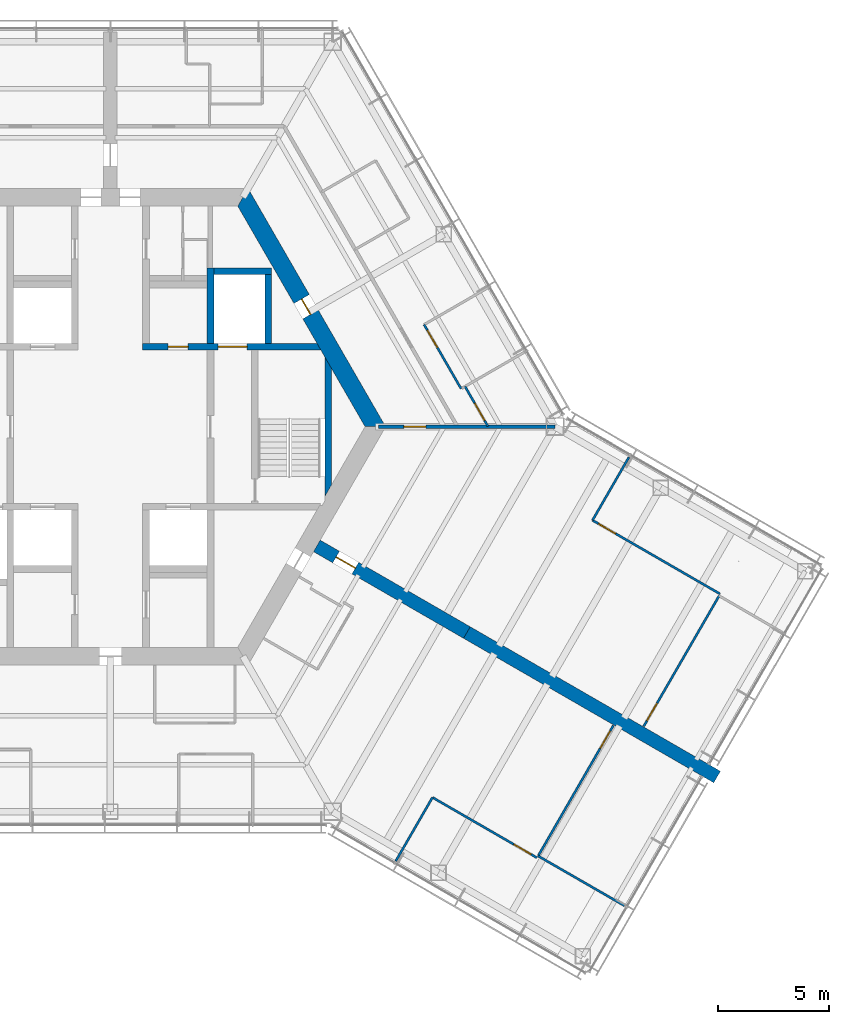
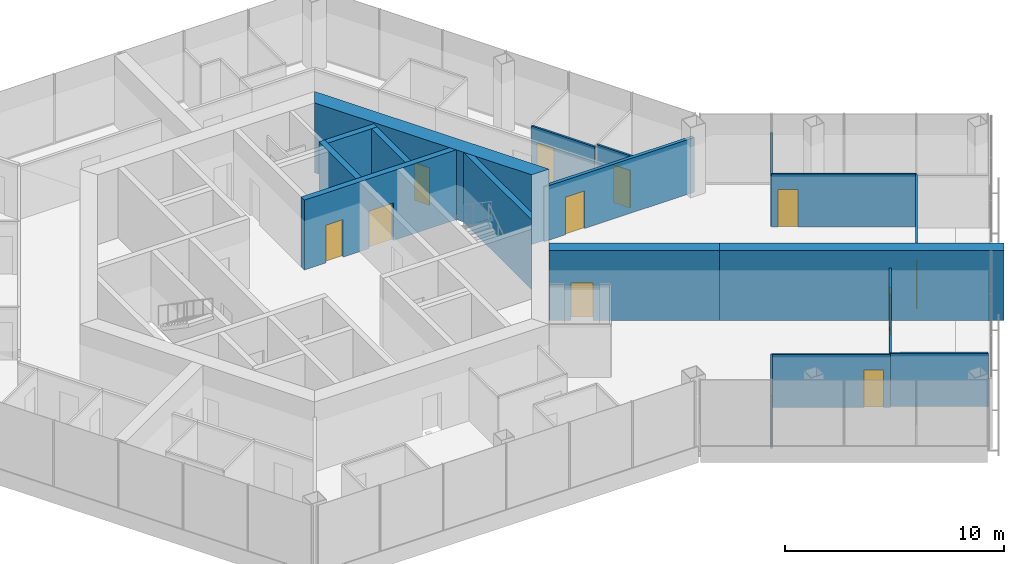
# One storey, part 12 of 17: 18 walls, 11 doors, 11 openings.
"""IFC4 building model written with IfcOpenShell, lengths in metres."""

from ifc_helpers import new_model, si_unit, direction, frame, frame_2d, origin, place, context, subcontext, project, spatial, polyline, rectangle, outline, extrude, material, layer, layer_set, type_object, element, fill, save


model = new_model("IFC4")

# Units and contexts
model_context = context("Model", 3, precision=1e-05, world=origin(), true_north=direction((0.0, 1.0)))
body_context = subcontext(model_context, "Body", "Model", "MODEL_VIEW")
ifc_project = project(units=[si_unit("LENGTHUNIT", "METRE"), si_unit("AREAUNIT", "SQUARE_METRE"), si_unit("VOLUMEUNIT", "CUBIC_METRE"), si_unit("PLANEANGLEUNIT", "RADIAN"), si_unit("MASSUNIT", "GRAM", prefix="KILO")], contexts=[model_context])

# Site, building, storey
site_placement = place(None, origin())
site = spatial("IfcSite", under=ifc_project, at=site_placement, CompositionType="ELEMENT")
building_placement = place(site_placement, origin())
building = spatial("IfcBuilding", under=site, at=building_placement, Name="Kasaneha Research Tower", CompositionType="ELEMENT")
storey_placement = place(building_placement, frame((0.0, 0.0, 228.39990234375)))
storey = spatial("IfcBuildingStorey", under=building, at=storey_placement, Name="L57", CompositionType="ELEMENT", Elevation=228.39990234375)

# Wall, openings, doors
ifc_material_1 = material(Name="Concrete Fc60", Category="concrete")
ifc_layer_1 = layer(ifc_material_1, 0.300048828125)
ifc_layer_set_1 = layer_set([ifc_layer_1], Name="Core internal wall 300 Fc60")
wall_type_1 = type_object("IfcWallType", Name="Core internal wall 300 Fc60", PredefinedType="SHEAR", material=ifc_layer_set_1)
wall_1_placement = place(storey_placement, frame((1.449951171875, 3.60009765625, 0.0), z_axis=(0.0, 0.0, 1.0), x_axis=(1.0, 0.0, 0.0)))
wall_1 = element("IfcWall", 1, at=wall_1_placement, inside=storey, type_object=wall_type_1, Name="Core wall W1E L57", PredefinedType="SHEAR", context=body_context, shape_type="SweptSolid", body=[
    extrude(outline(polyline([(0.0, -0.14990234375), (1.14990234375, -0.14990234375), (2.0498046875, -0.14990234375), (3.39990234375, -0.14990234375), (4.699951171875, -0.14990234375), (8.0185546875, -0.14990234375), (7.84521484375, 0.14990234375), (4.699951171875, 0.14990234375), (3.39990234375, 0.14990234375), (2.0498046875, 0.14990234375), (1.14990234375, 0.14990234375), (0.0, 0.14990234375), (0.0, -0.14990234375)])), origin(), (0.0, 0.0, 1.0), 3.900146484375),
])
opening_1_placement = place(wall_1_placement, frame((1.14990234375, 0.0, 0.0)))
opening_1 = element("IfcOpeningElement", 2, at=opening_1_placement, cuts=wall_1, Name="Opening L57-D17", PredefinedType="OPENING", context=body_context, shape_type="SweptSolid", body=[
    extrude(rectangle(XDim=0.89990234375, YDim=2.10009765625, at=frame_2d((0.449951171875, 1.050048828125))), frame((0.0, 0.16015625, 0.0), z_axis=(0.0, -1.0, 0.0), x_axis=(1.0, 0.0, 0.0)), (0.0, 0.0, 1.0), 0.320068359375),
])
opening_2_placement = place(wall_1_placement, frame((3.39990234375, 0.0, 0.0)))
opening_2 = element("IfcOpeningElement", 3, at=opening_2_placement, cuts=wall_1, Name="Opening LD-FL1-L57", PredefinedType="OPENING", context=body_context, shape_type="SweptSolid", body=[
    extrude(rectangle(XDim=1.300048828125, YDim=2.10009765625, at=frame_2d((0.64990234375, 1.050048828125))), frame((0.0, 0.16015625, 0.0), z_axis=(0.0, -1.0, 0.0), x_axis=(1.0, 0.0, 0.0)), (0.0, 0.0, 1.0), 0.320068359375),
])
ifc_material_2 = material(Name="Steel", Category="steel")
door_type_1 = type_object("IfcDoorType", Name="Lift landing door 1300x2100", OperationType="DOUBLE_DOOR_SLIDING", PredefinedType="DOOR", material=ifc_material_2)
door_1_placement = place(opening_2_placement, origin())
door_1 = element("IfcDoor", 4, at=door_1_placement, inside=storey, type_object=door_type_1, Name="Landing door FL1 LD-FL1-L57", OperationType="DOUBLE_DOOR_SLIDING", OverallHeight=2.10009765625, OverallWidth=1.300048828125, PredefinedType="DOOR", context=body_context, shape_type="SweptSolid", body=[
    extrude(rectangle(XDim=1.300048828125, YDim=2.10009765625, at=frame_2d((0.64990234375, 1.050048828125))), frame((0.0, 0.02490234375, 0.0), z_axis=(0.0, -1.0, 0.0), x_axis=(1.0, 0.0, 0.0)), (0.0, 0.0, 1.0), 0.050048828125),
])
fill(opening_2, door_1)
ifc_material_3 = material(Name="Steel", Category="steel")
door_type_2 = type_object("IfcDoorType", Name="Shaft room door FD60 900x2100", OperationType="NOTDEFINED", PredefinedType="DOOR", material=ifc_material_3)
door_2_placement = place(opening_1_placement, origin())
door_2 = element("IfcDoor", 5, at=door_2_placement, inside=storey, type_object=door_type_2, Name="Housekeeping store door L57-D17", OperationType="SINGLE_SWING_LEFT", OverallHeight=2.10009765625, OverallWidth=0.89990234375, PredefinedType="DOOR", context=body_context, shape_type="SweptSolid", body=[
    extrude(rectangle(XDim=0.89990234375, YDim=2.10009765625, at=frame_2d((0.449951171875, 1.050048828125))), frame((0.0, 0.02490234375, 0.0), z_axis=(0.0, -1.0, 0.0), x_axis=(1.0, 0.0, 0.0)), (0.0, 0.0, 1.0), 0.050048828125),
])
fill(opening_1, door_2)

# Walls
wall_2_placement = place(storey_placement, frame((4.5, 3.75, 0.0), z_axis=(0.0, 0.0, 1.0), x_axis=(0.0, 1.0, 0.0)))
element("IfcWall", 6, at=wall_2_placement, inside=storey, type_object=wall_type_1, Name="Core wall FNE L57", PredefinedType="SHEAR", context=body_context, shape_type="SweptSolid", body=[
    extrude(rectangle(XDim=3.39990234375, YDim=0.300048828125, at=frame_2d((1.699951171875, 0.0))), origin(), (0.0, 0.0, 1.0), 3.900146484375),
])
wall_3_placement = place(storey_placement, frame((4.64990234375, 7.0, 0.0), z_axis=(0.0, 0.0, 1.0), x_axis=(1.0, 0.0, 0.0)))
element("IfcWall", 7, at=wall_3_placement, inside=storey, type_object=wall_type_1, Name="Core wall F1N L57", PredefinedType="SHEAR", context=body_context, shape_type="SweptSolid", body=[
    extrude(rectangle(XDim=2.60009765625, YDim=0.300048828125, at=frame_2d((1.300048828125, 0.0))), origin(), (0.0, 0.0, 1.0), 3.900146484375),
])
wall_4_placement = place(storey_placement, frame((7.10009765625, 3.75, 0.0), z_axis=(0.0, 0.0, 1.0), x_axis=(0.0, 1.0, 0.0)))
element("IfcWall", 8, at=wall_4_placement, inside=storey, type_object=wall_type_1, Name="Core wall F1E L57", PredefinedType="SHEAR", context=body_context, shape_type="SweptSolid", body=[
    extrude(rectangle(XDim=3.10009765625, YDim=0.300048828125, at=frame_2d((1.550048828125, 0.0))), origin(), (0.0, 0.0, 1.0), 3.900146484375),
])
wall_5_placement = place(storey_placement, frame((9.807861328125, -2.8623046875, 0.0), z_axis=(0.0, 0.0, 1.0), x_axis=(0.0, 1.0, 0.0)))
element("IfcWall", 9, at=wall_5_placement, inside=storey, type_object=wall_type_1, Name="Core wall STE L57", PredefinedType="SHEAR", context=body_context, shape_type="SweptSolid", body=[
    extrude(outline(polyline([(0.259765625, -0.14990234375), (5.46484375, -0.14990234375), (5.984375, 0.14990234375), (-0.259765625, 0.14990234375), (0.259765625, -0.14990234375)])), origin(), (0.0, 0.0, 1.0), 3.900146484375),
])

# Wall, opening, door
ifc_material_4 = material(Name="Concrete Fc60", Category="concrete")
ifc_layer_2 = layer(ifc_material_4, 0.800048828125)
ifc_layer_set_2 = layer_set([ifc_layer_2], Name="Core wall 800 Fc60")
wall_type_2 = type_object("IfcWallType", Name="Core wall 800 Fc60", PredefinedType="SHEAR", material=ifc_layer_set_2)
wall_6_placement = place(storey_placement, frame((11.92236328125, 0.0, 0.0), z_axis=(0.0, 0.0, 1.0), x_axis=(-0.500004296715, 0.866022923061, 0.0)))
wall_6 = element("IfcWall", 10, at=wall_6_placement, inside=storey, type_object=wall_type_2, Name="Core wall 030 L57", PredefinedType="SHEAR", context=body_context, shape_type="SweptSolid", body=[
    extrude(outline(polyline([(-0.23095703125, -0.39990234375), (5.83544921875, -0.39990234375), (6.635498046875, -0.39990234375), (12.1533203125, -0.39990234375), (11.69140625, 0.39990234375), (6.635498046875, 0.39990234375), (5.83544921875, 0.39990234375), (0.23095703125, 0.39990234375), (-0.23095703125, -0.39990234375)])), origin(), (0.0, 0.0, 1.0), 3.900146484375),
])
opening_3_placement = place(wall_6_placement, frame((5.83544921875, 0.0, 0.0)))
opening_3 = element("IfcOpeningElement", 11, at=opening_3_placement, cuts=wall_6, Name="Opening L57-D04", PredefinedType="OPENING", context=body_context, shape_type="SweptSolid", body=[
    extrude(rectangle(XDim=0.800048828125, YDim=2.10009765625, at=frame_2d((0.39990234375, 1.050048828125))), frame((0.0, 0.41015625, 0.0), z_axis=(0.0, -1.0, 0.0), x_axis=(1.0, 0.0, 0.0)), (0.0, 0.0, 1.0), 0.820068359375),
])
ifc_material_5 = material(Name="Steel", Category="steel")
door_type_3 = type_object("IfcDoorType", Name="Riser access door FD60 800x2100", OperationType="NOTDEFINED", PredefinedType="DOOR", material=ifc_material_5)
door_3_placement = place(opening_3_placement, origin())
door_3 = element("IfcDoor", 12, at=door_3_placement, inside=storey, type_object=door_type_3, Name="Pipe riser door L57-D04", OperationType="SINGLE_SWING_RIGHT", OverallHeight=2.10009765625, OverallWidth=0.800048828125, PredefinedType="DOOR", context=body_context, shape_type="SweptSolid", body=[
    extrude(rectangle(XDim=0.800048828125, YDim=2.10009765625, at=frame_2d((0.39990234375, 1.050048828125))), frame((0.0, 0.02490234375, 0.0), z_axis=(0.0, -1.0, 0.0), x_axis=(1.0, 0.0, 0.0)), (0.0, 0.0, 1.0), 0.050048828125),
])
fill(opening_3, door_3)

ifc_material_6 = material(Name="Gypsum board on steel studs, one layer each side", Category="steel")
ifc_layer_3 = layer(ifc_material_6, 0.10009765625)
ifc_layer_set_3 = layer_set([ifc_layer_3], Name="Office partition 100")
wall_type_3 = type_object("IfcWallType", Name="Office partition 100", PredefinedType="PARTITIONING", material=ifc_layer_set_3)
wall_7_placement = place(storey_placement, frame((15.779296875, 1.71044921875, 0.0), z_axis=(0.0, 0.0, 1.0), x_axis=(-0.500001606164, 0.866024476463, 0.0)))
wall_7 = element("IfcWall", 13, at=wall_7_placement, inside=storey, type_object=wall_type_3, Name="Office partition FAE15 L57", PredefinedType="PARTITIONING", context=body_context, shape_type="SweptSolid", body=[
    extrude(rectangle(XDim=3.3310546875, YDim=0.10009765625, at=frame_2d((1.66552734375, 0.0))), origin(), (0.0, 0.0, 1.0), 2.9501953125),
])
opening_4_placement = place(wall_7_placement, frame((2.131103515625, 0.0, 0.0)))
opening_4 = element("IfcOpeningElement", 14, at=opening_4_placement, cuts=wall_7, Name="Opening L57-D29", PredefinedType="OPENING", context=body_context, shape_type="SweptSolid", body=[
    extrude(rectangle(XDim=0.89990234375, YDim=2.10009765625, at=frame_2d((0.449951171875, 1.050048828125))), frame((0.0, 0.06005859375, 0.0), z_axis=(0.0, -1.0, 0.0), x_axis=(1.0, 0.0, 0.0)), (0.0, 0.0, 1.0), 0.1201171875),
])
ifc_material_7 = material(Name="Timber veneer", Category="wood")
door_type_4 = type_object("IfcDoorType", Name="Office door 900x2100", OperationType="SINGLE_SWING_LEFT", PredefinedType="DOOR", material=ifc_material_7)
door_4_placement = place(opening_4_placement, origin())
door_4 = element("IfcDoor", 15, at=door_4_placement, inside=storey, type_object=door_type_4, Name="Manager's office door L57-D29", OperationType="SINGLE_SWING_RIGHT", OverallHeight=2.10009765625, OverallWidth=0.89990234375, PredefinedType="DOOR", context=body_context, shape_type="SweptSolid", body=[
    extrude(rectangle(XDim=0.89990234375, YDim=2.10009765625, at=frame_2d((0.449951171875, 1.050048828125))), frame((0.0, 0.02490234375, 0.0), z_axis=(0.0, -1.0, 0.0), x_axis=(1.0, 0.0, 0.0)), (0.0, 0.0, 1.0), 0.050048828125),
])
fill(opening_4, door_4)

wall_8_placement = place(storey_placement, frame((16.986083984375, 0.02001953125, 0.0), z_axis=(0.0, 0.0, 1.0), x_axis=(-0.498096123952, 0.867121820337, 0.0)))
wall_8 = element("IfcWall", 16, at=wall_8_placement, inside=storey, type_object=wall_type_3, Name="Office partition FAE18 L57", PredefinedType="PARTITIONING", context=body_context, shape_type="SweptSolid", body=[
    extrude(rectangle(XDim=2.0673828125, YDim=0.10009765625, at=frame_2d((1.03369140625, 0.0))), origin(), (0.0, 0.0, 1.0), 2.9501953125),
])
opening_5_placement = place(wall_8_placement, frame((0.300048828125, 0.0, 0.0)))
opening_5 = element("IfcOpeningElement", 17, at=opening_5_placement, cuts=wall_8, Name="Opening L57-D31", PredefinedType="OPENING", context=body_context, shape_type="SweptSolid", body=[
    extrude(rectangle(XDim=0.89990234375, YDim=2.10009765625, at=frame_2d((0.449951171875, 1.050048828125))), frame((0.0, 0.06005859375, 0.0), z_axis=(0.0, -1.0, 0.0), x_axis=(1.0, 0.0, 0.0)), (0.0, 0.0, 1.0), 0.1201171875),
])
door_5_placement = place(opening_5_placement, origin())
door_5 = element("IfcDoor", 18, at=door_5_placement, inside=storey, type_object=door_type_4, Name="Workroom door L57-D31", OperationType="SINGLE_SWING_LEFT", OverallHeight=2.10009765625, OverallWidth=0.89990234375, PredefinedType="DOOR", context=body_context, shape_type="SweptSolid", body=[
    extrude(rectangle(XDim=0.89990234375, YDim=2.10009765625, at=frame_2d((0.449951171875, 1.050048828125))), frame((0.0, 0.02490234375, 0.0), z_axis=(0.0, -1.0, 0.0), x_axis=(1.0, 0.0, 0.0)), (0.0, 0.0, 1.0), 0.050048828125),
])
fill(opening_5, door_5)

# Wall
wall_9_placement = place(storey_placement, frame((21.692138671875, -4.210205078125, 0.0), z_axis=(0.0, 0.0, 1.0), x_axis=(0.50002956483, 0.866008333849, 0.0)))
element("IfcWall", 19, at=wall_9_placement, inside=storey, type_object=wall_type_3, Name="Office partition FCE02 L57", PredefinedType="PARTITIONING", context=body_context, shape_type="SweptSolid", body=[
    extrude(rectangle(XDim=3.280029296875, YDim=0.10009765625, at=frame_2d((1.64013671875, 0.0))), origin(), (0.0, 0.0, 1.0), 2.9501953125),
])

# Wall, opening, door
wall_10_placement = place(storey_placement, frame((27.425048828125, -7.52001953125, 0.0), z_axis=(0.0, 0.0, 1.0), x_axis=(-0.866030817826, 0.499990622488, 0.0)))
wall_10 = element("IfcWall", 20, at=wall_10_placement, inside=storey, type_object=wall_type_3, Name="Office partition FCE03 L57", PredefinedType="PARTITIONING", context=body_context, shape_type="SweptSolid", body=[
    extrude(rectangle(XDim=6.619873046875, YDim=0.10009765625, at=frame_2d((3.31005859375, 0.0))), origin(), (0.0, 0.0, 1.0), 2.9501953125),
])
opening_6_placement = place(wall_10_placement, frame((5.419677734375, 0.0, 0.0)))
opening_6 = element("IfcOpeningElement", 21, at=opening_6_placement, cuts=wall_10, Name="Opening L57-D41", PredefinedType="OPENING", context=body_context, shape_type="SweptSolid", body=[
    extrude(rectangle(XDim=0.89990234375, YDim=2.10009765625, at=frame_2d((0.449951171875, 1.050048828125))), frame((0.0, 0.06005859375, 0.0), z_axis=(0.0, -1.0, 0.0), x_axis=(1.0, 0.0, 0.0)), (0.0, 0.0, 1.0), 0.1201171875),
])
door_6_placement = place(opening_6_placement, origin())
door_6 = element("IfcDoor", 22, at=door_6_placement, inside=storey, type_object=door_type_4, Name="Manager's office door L57-D41", OperationType="SINGLE_SWING_RIGHT", OverallHeight=2.10009765625, OverallWidth=0.89990234375, PredefinedType="DOOR", context=body_context, shape_type="SweptSolid", body=[
    extrude(rectangle(XDim=0.89990234375, YDim=2.10009765625, at=frame_2d((0.449951171875, 1.050048828125))), frame((0.0, 0.02490234375, 0.0), z_axis=(0.0, -1.0, 0.0), x_axis=(1.0, 0.0, 0.0)), (0.0, 0.0, 1.0), 0.050048828125),
])
fill(opening_6, door_6)

wall_11_placement = place(storey_placement, frame((23.993408203125, -13.483154296875, 0.0), z_axis=(0.0, 0.0, 1.0), x_axis=(0.500522347083, 0.865723616445, 0.0)))
wall_11 = element("IfcWall", 23, at=wall_11_placement, inside=storey, type_object=wall_type_3, Name="Office partition FCE04 L57", PredefinedType="PARTITIONING", context=body_context, shape_type="SweptSolid", body=[
    extrude(rectangle(XDim=6.780029296875, YDim=0.10009765625, at=frame_2d((3.39013671875, 0.0))), origin(), (0.0, 0.0, 1.0), 2.9501953125),
])
opening_7_placement = place(wall_11_placement, frame((0.300048828125, 0.0, 0.0)))
opening_7 = element("IfcOpeningElement", 24, at=opening_7_placement, cuts=wall_11, Name="Opening L57-D42", PredefinedType="OPENING", context=body_context, shape_type="SweptSolid", body=[
    extrude(rectangle(XDim=0.89990234375, YDim=2.10009765625, at=frame_2d((0.449951171875, 1.050048828125))), frame((0.0, 0.06005859375, 0.0), z_axis=(0.0, -1.0, 0.0), x_axis=(1.0, 0.0, 0.0)), (0.0, 0.0, 1.0), 0.1201171875),
])
door_7_placement = place(opening_7_placement, origin())
door_7 = element("IfcDoor", 25, at=door_7_placement, inside=storey, type_object=door_type_4, Name="Meeting room door L57-D42", OperationType="SINGLE_SWING_LEFT", OverallHeight=2.10009765625, OverallWidth=0.89990234375, PredefinedType="DOOR", context=body_context, shape_type="SweptSolid", body=[
    extrude(rectangle(XDim=0.89990234375, YDim=2.10009765625, at=frame_2d((0.449951171875, 1.050048828125))), frame((0.0, 0.02490234375, 0.0), z_axis=(0.0, -1.0, 0.0), x_axis=(1.0, 0.0, 0.0)), (0.0, 0.0, 1.0), 0.050048828125),
])
fill(opening_7, door_7)

# Walls
wall_12_placement = place(storey_placement, frame((19.2412109375, -19.31298828125, 0.0), z_axis=(0.0, 0.0, 1.0), x_axis=(0.866534622614, -0.499116968066, 0.0)))
element("IfcWall", 26, at=wall_12_placement, inside=storey, type_object=wall_type_3, Name="Office partition FCS09 L57", PredefinedType="PARTITIONING", context=body_context, shape_type="SweptSolid", body=[
    extrude(rectangle(XDim=4.48046875, YDim=0.10009765625, at=frame_2d((2.240234375, 0.0))), origin(), (0.0, 0.0, 1.0), 2.9501953125),
])
wall_13_placement = place(storey_placement, frame((12.837158203125, -19.547607421875, 0.0), z_axis=(0.0, 0.0, 1.0), x_axis=(0.499890550747, 0.866088585119, 0.0)))
element("IfcWall", 27, at=wall_13_placement, inside=storey, type_object=wall_type_3, Name="Office partition FCS10 L57", PredefinedType="PARTITIONING", context=body_context, shape_type="SweptSolid", body=[
    extrude(rectangle(XDim=3.310791015625, YDim=0.10009765625, at=frame_2d((1.6552734375, 0.0))), origin(), (0.0, 0.0, 1.0), 2.9501953125),
])

# Wall, opening, door
wall_14_placement = place(storey_placement, frame((14.4921875, -16.68017578125, 0.0), z_axis=(0.0, 0.0, 1.0), x_axis=(0.866056782721, -0.499945646148, 0.0)))
wall_14 = element("IfcWall", 28, at=wall_14_placement, inside=storey, type_object=wall_type_3, Name="Office partition FCS11 L57", PredefinedType="PARTITIONING", context=body_context, shape_type="SweptSolid", body=[
    extrude(rectangle(XDim=5.4287109375, YDim=0.10009765625, at=frame_2d((2.71435546875, 0.0))), origin(), (0.0, 0.0, 1.0), 2.9501953125),
])
opening_8_placement = place(wall_14_placement, frame((4.22900390625, 0.0, 0.0)))
opening_8 = element("IfcOpeningElement", 29, at=opening_8_placement, cuts=wall_14, Name="Opening L57-D45", PredefinedType="OPENING", context=body_context, shape_type="SweptSolid", body=[
    extrude(rectangle(XDim=0.89990234375, YDim=2.10009765625, at=frame_2d((0.449951171875, 1.050048828125))), frame((0.0, 0.06005859375, 0.0), z_axis=(0.0, -1.0, 0.0), x_axis=(1.0, 0.0, 0.0)), (0.0, 0.0, 1.0), 0.1201171875),
])
door_8_placement = place(opening_8_placement, origin())
door_8 = element("IfcDoor", 30, at=door_8_placement, inside=storey, type_object=door_type_4, Name="Manager's office door L57-D45", OperationType="SINGLE_SWING_RIGHT", OverallHeight=2.10009765625, OverallWidth=0.89990234375, PredefinedType="DOOR", context=body_context, shape_type="SweptSolid", body=[
    extrude(rectangle(XDim=0.89990234375, YDim=2.10009765625, at=frame_2d((0.449951171875, 1.050048828125))), frame((0.0, 0.02490234375, 0.0), z_axis=(0.0, -1.0, 0.0), x_axis=(1.0, 0.0, 0.0)), (0.0, 0.0, 1.0), 0.050048828125),
])
fill(opening_8, door_8)

wall_15_placement = place(storey_placement, frame((19.247802734375, -19.31103515625, 0.0), z_axis=(0.0, 0.0, 1.0), x_axis=(0.499489671712, 0.866319841544, 0.0)))
wall_15 = element("IfcWall", 31, at=wall_15_placement, inside=storey, type_object=wall_type_3, Name="Office partition FCS12 L57", PredefinedType="PARTITIONING", context=body_context, shape_type="SweptSolid", body=[
    extrude(rectangle(XDim=6.77978515625, YDim=0.10009765625, at=frame_2d((3.389892578125, 0.0))), origin(), (0.0, 0.0, 1.0), 2.9501953125),
])
opening_9_placement = place(wall_15_placement, frame((5.580078125, 0.0, 0.0)))
opening_9 = element("IfcOpeningElement", 32, at=opening_9_placement, cuts=wall_15, Name="Opening L57-D46", PredefinedType="OPENING", context=body_context, shape_type="SweptSolid", body=[
    extrude(rectangle(XDim=0.89990234375, YDim=2.10009765625, at=frame_2d((0.449951171875, 1.050048828125))), frame((0.0, 0.06005859375, 0.0), z_axis=(0.0, -1.0, 0.0), x_axis=(1.0, 0.0, 0.0)), (0.0, 0.0, 1.0), 0.1201171875),
])
door_9_placement = place(opening_9_placement, origin())
door_9 = element("IfcDoor", 33, at=door_9_placement, inside=storey, type_object=door_type_4, Name="Meeting room door L57-D46", OperationType="SINGLE_SWING_RIGHT", OverallHeight=2.10009765625, OverallWidth=0.89990234375, PredefinedType="DOOR", context=body_context, shape_type="SweptSolid", body=[
    extrude(rectangle(XDim=0.89990234375, YDim=2.10009765625, at=frame_2d((0.449951171875, 1.050048828125))), frame((0.0, 0.02490234375, 0.0), z_axis=(0.0, -1.0, 0.0), x_axis=(1.0, 0.0, 0.0)), (0.0, 0.0, 1.0), 0.050048828125),
])
fill(opening_9, door_9)

ifc_material_8 = material(Name="Concrete Fc60", Category="concrete")
ifc_layer_4 = layer(ifc_material_8, 0.60009765625)
ifc_layer_set_4 = layer_set([ifc_layer_4], Name="Spine wall 600 Fc60")
wall_type_4 = type_object("IfcWallType", Name="Spine wall 600 Fc60", PredefinedType="SHEAR", material=ifc_layer_set_4)
wall_16_placement = place(storey_placement, frame((9.2880859375, -5.362548828125, 0.0), z_axis=(0.0, 0.0, 1.0), x_axis=(0.866031736626, -0.499989031036, 0.0)))
wall_16 = element("IfcWall", 34, at=wall_16_placement, inside=storey, type_object=wall_type_4, Name="Spine wall C L57", PredefinedType="SHEAR", context=body_context, shape_type="SweptSolid", body=[
    extrude(rectangle(XDim=7.795654296875, YDim=0.60009765625, at=frame_2d((3.89794921875, 0.0))), origin(), (0.0, 0.0, 1.0), 3.900146484375),
])
opening_10_placement = place(wall_16_placement, frame((1.0, 0.0, 0.0)))
opening_10 = element("IfcOpeningElement", 35, at=opening_10_placement, cuts=wall_16, Name="Opening L57-D20", PredefinedType="OPENING", context=body_context, shape_type="SweptSolid", body=[
    extrude(rectangle(XDim=1.0, YDim=2.10009765625, at=frame_2d((0.5, 1.050048828125))), frame((0.0, 0.31005859375, 0.0), z_axis=(0.0, -1.0, 0.0), x_axis=(1.0, 0.0, 0.0)), (0.0, 0.0, 1.0), 0.6201171875),
])
ifc_material_9 = material(Name="Steel", Category="steel")
door_type_5 = type_object("IfcDoorType", Name="Specified fire door FD60 1000x2100", OperationType="NOTDEFINED", PredefinedType="DOOR", material=ifc_material_9)
door_10_placement = place(opening_10_placement, origin())
door_10 = element("IfcDoor", 36, at=door_10_placement, inside=storey, type_object=door_type_5, Name="Spine doorway C L57-D20", OperationType="SINGLE_SWING_LEFT", OverallHeight=2.10009765625, OverallWidth=1.0, PredefinedType="DOOR", context=body_context, shape_type="SweptSolid", body=[
    extrude(rectangle(XDim=1.0, YDim=2.10009765625, at=frame_2d((0.5, 1.050048828125))), frame((0.0, 0.02490234375, 0.0), z_axis=(0.0, -1.0, 0.0), x_axis=(1.0, 0.0, 0.0)), (0.0, 0.0, 1.0), 0.050048828125),
])
fill(opening_10, door_10)

# Wall
wall_17_placement = place(storey_placement, frame((16.039306640625, -9.26025390625, 0.0), z_axis=(0.0, 0.0, 1.0), x_axis=(0.866024837091, -0.50000098154, 0.0)))
element("IfcWall", 37, at=wall_17_placement, inside=storey, type_object=wall_type_4, Name="Spine wall C wing L57", PredefinedType="SHEAR", context=body_context, shape_type="SweptSolid", body=[
    extrude(rectangle(XDim=13.0, YDim=0.60009765625, at=frame_2d((6.5, 0.0))), origin(), (0.0, 0.0, 1.0), 3.900146484375),
])

# Wall, opening, door
ifc_material_10 = material(Name="Gypsum board on steel studs, two layers each side", Category="steel")
ifc_layer_5 = layer(ifc_material_10, 0.175048828125)
ifc_layer_set_5 = layer_set([ifc_layer_5], Name="Tenancy fire partition 175")
wall_type_5 = type_object("IfcWallType", Name="Tenancy fire partition 175", PredefinedType="PARTITIONING", material=ifc_layer_set_5)
wall_18_placement = place(storey_placement, frame((12.069580078125, 0.0, 0.0), z_axis=(0.0, 0.0, 1.0), x_axis=(1.0, 0.0, 0.0)))
wall_18 = element("IfcWall", 38, at=wall_18_placement, inside=storey, type_object=wall_type_5, Name="Tenancy fire partition T000 L57", PredefinedType="PARTITIONING", context=body_context, shape_type="SweptSolid", body=[
    extrude(rectangle(XDim=7.930419921875, YDim=0.175048828125, at=frame_2d((3.96533203125, 0.0))), origin(), (0.0, 0.0, 1.0), 3.050048828125),
])
opening_11_placement = place(wall_18_placement, frame((1.1298828125, 0.0, 0.0)))
opening_11 = element("IfcOpeningElement", 39, at=opening_11_placement, cuts=wall_18, Name="Opening L57-D23", PredefinedType="OPENING", context=body_context, shape_type="SweptSolid", body=[
    extrude(rectangle(XDim=1.0, YDim=2.10009765625, at=frame_2d((0.5, 1.050048828125))), frame((0.0, 0.09765625, 0.0), z_axis=(0.0, -1.0, 0.0), x_axis=(1.0, 0.0, 0.0)), (0.0, 0.0, 1.0), 0.195068359375),
])
ifc_material_11 = material(Name="Steel", Category="steel")
door_type_6 = type_object("IfcDoorType", Name="Suite entrance door FD60 1000x2100", OperationType="NOTDEFINED", PredefinedType="DOOR", material=ifc_material_11)
door_11_placement = place(opening_11_placement, origin())
door_11 = element("IfcDoor", 40, at=door_11_placement, inside=storey, type_object=door_type_6, Name="Connecting door L57-D23", OperationType="SINGLE_SWING_LEFT", OverallHeight=2.10009765625, OverallWidth=1.0, PredefinedType="DOOR", context=body_context, shape_type="SweptSolid", body=[
    extrude(rectangle(XDim=1.0, YDim=2.10009765625, at=frame_2d((0.5, 1.050048828125))), frame((0.0, 0.02490234375, 0.0), z_axis=(0.0, -1.0, 0.0), x_axis=(1.0, 0.0, 0.0)), (0.0, 0.0, 1.0), 0.050048828125),
])
fill(opening_11, door_11)

save(model, "model.ifc")
